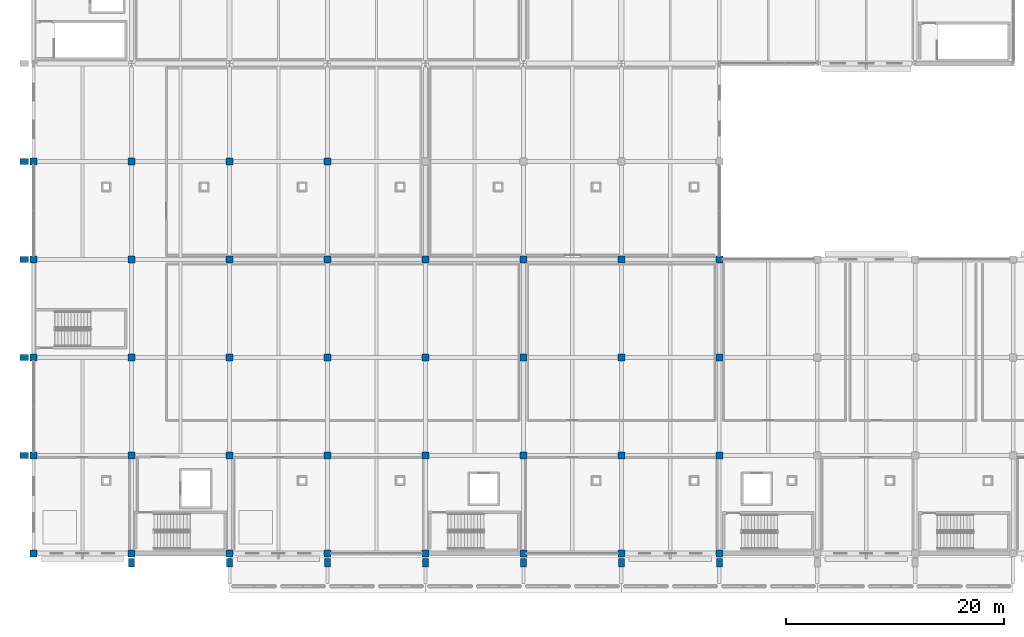
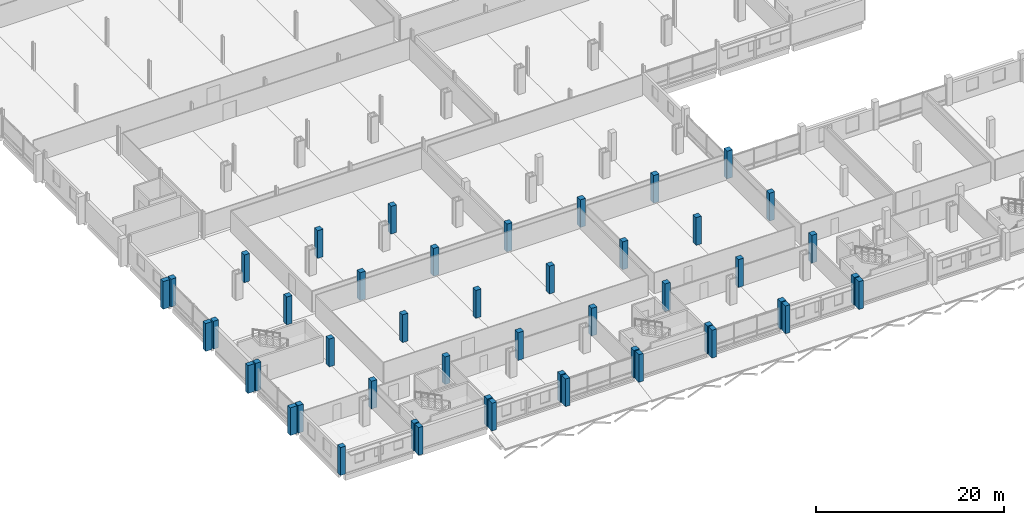
# One storey, part 1 of 132: 47 columns.
"""IFC4 building model written with IfcOpenShell, lengths in metres."""

from ifc_helpers import new_model, si_unit, direction, frame, origin, origin_2d, place, context, subcontext, project, spatial, rectangle, extrude, material, material_profile, profile_set, type_object, element, save


model = new_model("IFC4")

# Units and contexts
model_context = context("Model", 3, precision=1e-05, world=origin(), true_north=direction((0.0, 1.0)))
body_context = subcontext(model_context, "Body", "Model", "MODEL_VIEW")
ifc_project = project(units=[si_unit("LENGTHUNIT", "METRE"), si_unit("AREAUNIT", "SQUARE_METRE"), si_unit("VOLUMEUNIT", "CUBIC_METRE"), si_unit("PLANEANGLEUNIT", "RADIAN"), si_unit("MASSUNIT", "GRAM", prefix="KILO")], contexts=[model_context])

# Site, building, storey
site_placement = place(None, origin())
site = spatial("IfcSite", under=ifc_project, at=site_placement, CompositionType="ELEMENT")
building_placement = place(site_placement, origin())
building = spatial("IfcBuilding", under=site, at=building_placement, Name="Tharagai Park Tramway Depot", CompositionType="ELEMENT")
storey_placement = place(building_placement, frame((0.0, 0.0, 4.800048828125)))
storey = spatial("IfcBuildingStorey", under=building, at=storey_placement, Name="L01", CompositionType="ELEMENT", Elevation=4.800048828125)

# Columns
ifc_material = material(Name="Concrete M40", Category="concrete")
ifc_material_profile_1 = material_profile(ifc_material, rectangle(XDim=0.64990234375, YDim=0.64990234375, at=origin_2d()), Name="RC 650x650")
ifc_profile_set_1 = profile_set([ifc_material_profile_1], Name="Concrete M40")
column_type_1 = type_object("IfcColumnType", Name="CL-12", PredefinedType="COLUMN", material=ifc_profile_set_1)
for number, where, z_axis, x_axis, name in (
    (1, (0.0, 0.0, 0.0), (0.0, 0.0, 1.0), (1.0, 0.0, 0.0), "L01 Structural Column CL-12 (0,0)"),
    (2, (0.0, 9.0, 0.0), (0.0, 0.0, 1.0), (1.0, 0.0, 0.0), "L01 Structural Column CL-12 (0,9)"),
    (3, (0.0, 18.0, 0.0), (0.0, 0.0, 1.0), (1.0, 0.0, 0.0), "L01 Structural Column CL-12 (0,18)"),
    (4, (0.0, 27.0, 0.0), (0.0, 0.0, 1.0), (1.0, 0.0, 0.0), "L01 Structural Column CL-12 (0,27)"),
    (5, (0.0, 36.0, 0.0), (0.0, 0.0, 1.0), (1.0, 0.0, 0.0), "L01 Structural Column CL-12 (0,36)"),
    (6, (9.0, 0.0, 0.0), (0.0, 0.0, 1.0), (1.0, 0.0, 0.0), "L01 Structural Column CL-12 (9,0)"),
    (7, (9.0, 9.0, 0.0), (0.0, 0.0, 1.0), (1.0, 0.0, 0.0), "L01 Structural Column CL-12 (9,9)"),
    (8, (9.0, 18.0, 0.0), (0.0, 0.0, 1.0), (1.0, 0.0, 0.0), "L01 Structural Column CL-12 (9,18)"),
    (9, (9.0, 27.0, 0.0), (0.0, 0.0, 1.0), (1.0, 0.0, 0.0), "L01 Structural Column CL-12 (9,27)"),
    (10, (9.0, 36.0, 0.0), (0.0, 0.0, 1.0), (1.0, 0.0, 0.0), "L01 Structural Column CL-12 (9,36)"),
    (11, (18.0, 0.0, 0.0), (0.0, 0.0, 1.0), (1.0, 0.0, 0.0), "L01 Structural Column CL-12 (18,0)"),
    (12, (18.0, 9.0, 0.0), (0.0, 0.0, 1.0), (1.0, 0.0, 0.0), "L01 Structural Column CL-12 (18,9)"),
    (13, (18.0, 18.0, 0.0), (0.0, 0.0, 1.0), (1.0, 0.0, 0.0), "L01 Structural Column CL-12 (18,18)"),
    (14, (18.0, 27.0, 0.0), (0.0, 0.0, 1.0), (1.0, 0.0, 0.0), "L01 Structural Column CL-12 (18,27)"),
    (15, (18.0, 36.0, 0.0), (0.0, 0.0, 1.0), (1.0, 0.0, 0.0), "L01 Structural Column CL-12 (18,36)"),
    (16, (27.0, 0.0, 0.0), (0.0, 0.0, 1.0), (1.0, 0.0, 0.0), "L01 Structural Column CL-12 (27,0)"),
    (17, (27.0, 9.0, 0.0), (0.0, 0.0, 1.0), (1.0, 0.0, 0.0), "L01 Structural Column CL-12 (27,9)"),
    (18, (27.0, 18.0, 0.0), (0.0, 0.0, 1.0), (1.0, 0.0, 0.0), "L01 Structural Column CL-12 (27,18)"),
    (19, (27.0, 27.0, 0.0), (0.0, 0.0, 1.0), (1.0, 0.0, 0.0), "L01 Structural Column CL-12 (27,27)"),
    (20, (27.0, 36.0, 0.0), (0.0, 0.0, 1.0), (1.0, 0.0, 0.0), "L01 Structural Column CL-12 (27,36)"),
    (21, (36.0, 0.0, 0.0), (0.0, 0.0, 1.0), (1.0, 0.0, 0.0), "L01 Structural Column CL-12 (36,0)"),
    (22, (36.0, 9.0, 0.0), (0.0, 0.0, 1.0), (1.0, 0.0, 0.0), "L01 Structural Column CL-12 (36,9)"),
    (23, (36.0, 18.0, 0.0), (0.0, 0.0, 1.0), (1.0, 0.0, 0.0), "L01 Structural Column CL-12 (36,18)"),
    (24, (36.0, 27.0, 0.0), (0.0, 0.0, 1.0), (1.0, 0.0, 0.0), "L01 Structural Column CL-12 (36,27)"),
    (25, (45.0, 0.0, 0.0), (0.0, 0.0, 1.0), (1.0, 0.0, 0.0), "L01 Structural Column CL-12 (45,0)"),
    (26, (45.0, 9.0, 0.0), (0.0, 0.0, 1.0), (1.0, 0.0, 0.0), "L01 Structural Column CL-12 (45,9)"),
    (27, (45.0, 18.0, 0.0), (0.0, 0.0, 1.0), (1.0, 0.0, 0.0), "L01 Structural Column CL-12 (45,18)"),
    (28, (45.0, 27.0, 0.0), (0.0, 0.0, 1.0), (1.0, 0.0, 0.0), "L01 Structural Column CL-12 (45,27)"),
    (29, (54.0, 0.0, 0.0), (0.0, 0.0, 1.0), (1.0, 0.0, 0.0), "L01 Structural Column CL-12 (54,0)"),
    (30, (54.0, 9.0, 0.0), (0.0, 0.0, 1.0), (1.0, 0.0, 0.0), "L01 Structural Column CL-12 (54,9)"),
    (31, (54.0, 18.0, 0.0), (0.0, 0.0, 1.0), (1.0, 0.0, 0.0), "L01 Structural Column CL-12 (54,18)"),
    (32, (54.0, 27.0, 0.0), (0.0, 0.0, 1.0), (1.0, 0.0, 0.0), "L01 Structural Column CL-12 (54,27)"),
    (33, (63.0, 0.0, 0.0), (0.0, 0.0, 1.0), (1.0, 0.0, 0.0), "L01 Structural Column CL-12 (63,0)"),
    (34, (63.0, 9.0, 0.0), (0.0, 0.0, 1.0), (1.0, 0.0, 0.0), "L01 Structural Column CL-12 (63,9)"),
    (35, (63.0, 18.0, 0.0), (0.0, 0.0, 1.0), (1.0, 0.0, 0.0), "L01 Structural Column CL-12 (63,18)"),
    (36, (63.0, 27.0, 0.0), (0.0, 0.0, 1.0), (1.0, 0.0, 0.0), "L01 Structural Column CL-12 (63,27)"),
):
    element("IfcColumn", number, at=place(storey_placement, frame(where, z_axis=z_axis, x_axis=x_axis)), inside=storey, type_object=column_type_1, Name=name, PredefinedType="COLUMN", context=body_context, shape_type="SweptSolid", body=[
        extrude(rectangle(XDim=0.64990234375, YDim=0.64990234375, at=origin_2d()), origin(), (0.0, 0.0, 1.0), 3.599853515625),
    ])
ifc_material_profile_2 = material_profile(ifc_material, rectangle(XDim=0.550048828125, YDim=0.800048828125, at=origin_2d()), Name="RC 550x800")
ifc_profile_set_2 = profile_set([ifc_material_profile_2], Name="Concrete M40")
column_type_2 = type_object("IfcColumnType", Name="PL-02", PredefinedType="PILASTER", material=ifc_profile_set_2)
for number, where, z_axis, x_axis, name in (
    (37, (9.0, -0.85009765625, 0.0), (0.0, 0.0, 1.0), (1.0, 0.0, 0.0), "L01 Stepped Gothic Buttress PL-02 S4-009"),
    (38, (18.0, -0.85009765625, 0.0), (0.0, 0.0, 1.0), (1.0, 0.0, 0.0), "L01 Stepped Gothic Buttress PL-02 S4-018"),
    (39, (27.0, -0.85009765625, 0.0), (0.0, 0.0, 1.0), (1.0, 0.0, 0.0), "L01 Stepped Gothic Buttress PL-02 S4-027"),
    (40, (36.0, -0.85009765625, 0.0), (0.0, 0.0, 1.0), (1.0, 0.0, 0.0), "L01 Stepped Gothic Buttress PL-02 S4-036"),
    (41, (45.0, -0.85009765625, 0.0), (0.0, 0.0, 1.0), (1.0, 0.0, 0.0), "L01 Stepped Gothic Buttress PL-02 S4-045"),
    (42, (54.0, -0.85009765625, 0.0), (0.0, 0.0, 1.0), (1.0, 0.0, 0.0), "L01 Stepped Gothic Buttress PL-02 S4-054"),
    (43, (63.0, -0.85009765625, 0.0), (0.0, 0.0, 1.0), (1.0, 0.0, 0.0), "L01 Stepped Gothic Buttress PL-02 S4-063"),
    (44, (-0.85009765625, 9.0, 0.0), (0.0, 0.0, 1.0), (0.0, 1.0, 0.0), "L01 Stepped Gothic Buttress PL-02 W-009"),
    (45, (-0.85009765625, 18.0, 0.0), (0.0, 0.0, 1.0), (0.0, 1.0, 0.0), "L01 Stepped Gothic Buttress PL-02 W-018"),
    (46, (-0.85009765625, 27.0, 0.0), (0.0, 0.0, 1.0), (0.0, 1.0, 0.0), "L01 Stepped Gothic Buttress PL-02 W-027"),
    (47, (-0.85009765625, 36.0, 0.0), (0.0, 0.0, 1.0), (0.0, 1.0, 0.0), "L01 Stepped Gothic Buttress PL-02 W-036"),
):
    element("IfcColumn", number, at=place(storey_placement, frame(where, z_axis=z_axis, x_axis=x_axis)), inside=storey, type_object=column_type_2, Name=name, PredefinedType="PILASTER", context=body_context, shape_type="SweptSolid", body=[
        extrude(rectangle(XDim=0.550048828125, YDim=0.800048828125, at=origin_2d()), origin(), (0.0, 0.0, 1.0), 3.599853515625),
    ])

save(model, "model.ifc")
